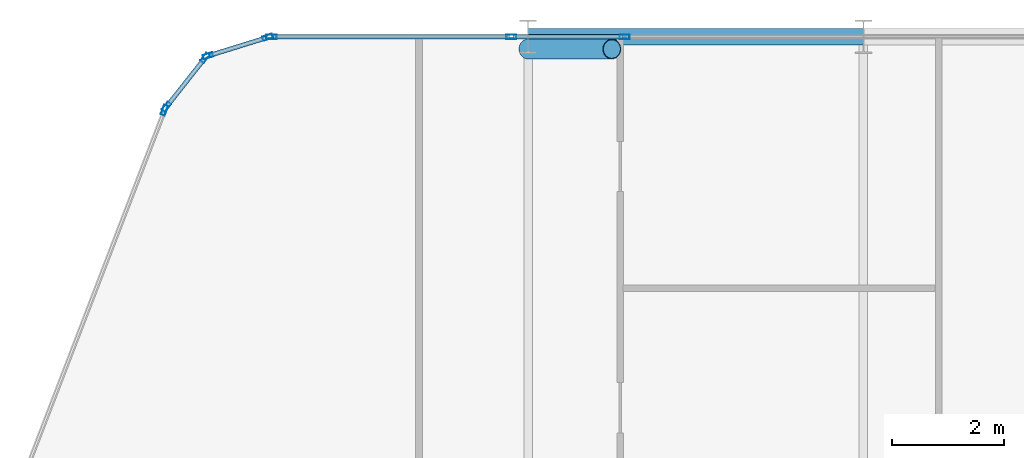
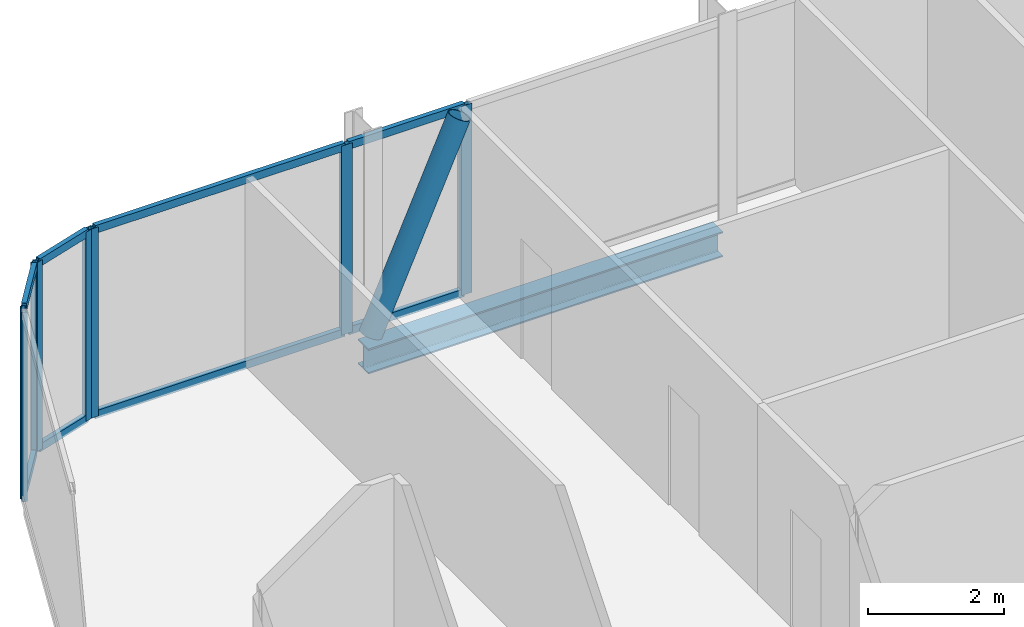
# One storey, part 16 of 30: 17 members, 1 beam, 5 elements without a shape of their own.
"""IFC4 building model written with IfcOpenShell, lengths in metres."""

import ifcopenshell
import ifcopenshell.guid

model = None  # the IFC model being written
_history = None  # IfcOwnerHistory: only IFC2X3 demands one
_inside = {}  # id of a spatial element -> (the spatial element, [elements in it])
_under = {}  # id of a project, library or spatial element -> (it, [spatial elements below it])
_declared = {}  # id of a project -> (the project, [libraries it declares])
_typed = {}  # id of a type object -> (the type object, [elements of that type])
_made_of = {}  # id of a material, layer set ... -> (it, [elements and type objects made of it])


def new_model(schema):
    """Start an empty IFC model of exactly this schema.

    Asked for "IFC4X3", IfcOpenShell would pick the latest addendum, in which some entities
    have other attributes; the version numbers below select the first issue.
    IFC2X3 requires an IfcOwnerHistory on every rooted entity: one is made here for all.
    """
    global model, _history
    if schema == "IFC4X3":
        model = ifcopenshell.file(schema_version=(4, 3, 0, 0))
    else:
        model = ifcopenshell.file(schema=schema)
    _inside.clear()
    _under.clear()
    _declared.clear()
    _typed.clear()
    _made_of.clear()
    _history = None
    if model.schema == "IFC2X3":
        org = make("IfcOrganization", Name="unknown")
        user = make(
            "IfcPersonAndOrganization",
            ThePerson=make("IfcPerson", FamilyName="unknown"),
            TheOrganization=org,
        )
        app = make(
            "IfcApplication",
            ApplicationDeveloper=org,
            Version="unknown",
            ApplicationFullName="unknown",
            ApplicationIdentifier="unknown",
        )
        _history = make(
            "IfcOwnerHistory",
            OwningUser=user,
            OwningApplication=app,
            ChangeAction="ADDED",
            CreationDate=0,
        )
    return model


def make(cls, **values):
    """One entity of the class cls with the attributes given. An attribute that is None is left unset."""
    return model.create_entity(
        cls, **{name: value for name, value in values.items() if value is not None}
    )


def rooted(cls, **values):
    """An entity with a GlobalId (a new one), such as an element, a storey or a relation."""
    return make(cls, GlobalId=ifcopenshell.guid.new(), OwnerHistory=_history, **values)


def si_unit(unit_type, name, prefix=None):
    """IfcSIUnit, for example si_unit("LENGTHUNIT", "METRE", prefix="MILLI")."""
    return make("IfcSIUnit", UnitType=unit_type, Prefix=prefix, Name=name)


def assignment(units):
    """IfcUnitAssignment: the units of a project."""
    return None if units is None else make("IfcUnitAssignment", Units=units)


def point(xyz):
    """IfcCartesianPoint."""
    return None if xyz is None else make("IfcCartesianPoint", Coordinates=xyz)


def direction(xyz):
    """IfcDirection."""
    return None if xyz is None else make("IfcDirection", DirectionRatios=xyz)


def frame(location, z_axis=None, x_axis=None):
    """IfcAxis2Placement3D, a coordinate frame: its origin and axes. An axis left out is left unset."""
    return make(
        "IfcAxis2Placement3D",
        Location=point(location),
        Axis=direction(z_axis),
        RefDirection=direction(x_axis),
    )


def frame_2d(location, x_axis=None):
    """IfcAxis2Placement2D, a coordinate frame in the plane: its origin and x axis."""
    return make(
        "IfcAxis2Placement2D", Location=point(location), RefDirection=direction(x_axis)
    )


def origin():
    """The frame at (0, 0, 0) with its axes left unset."""
    return frame((0.0, 0.0, 0.0))


def origin_2d():
    """The frame at (0, 0) in the plane with its x axis left unset."""
    return frame_2d((0.0, 0.0))


def place(relative_to, where):
    """IfcLocalPlacement: puts the frame where relative to a parent placement (None: the world)."""
    return make(
        "IfcLocalPlacement", PlacementRelTo=relative_to, RelativePlacement=where
    )


def context(
    kind, dimensions, precision=None, world=None, true_north=None, identifier=None
):
    """IfcGeometricRepresentationContext, for example the 3D "Model" context."""
    return make(
        "IfcGeometricRepresentationContext",
        ContextIdentifier=identifier,
        ContextType=kind,
        CoordinateSpaceDimension=dimensions,
        Precision=precision,
        WorldCoordinateSystem=world,
        TrueNorth=true_north,
    )


def subcontext(parent, identifier, kind, view, scale=None):
    """IfcGeometricRepresentationSubContext, for example "Body" below "Model"."""
    return make(
        "IfcGeometricRepresentationSubContext",
        ContextIdentifier=identifier,
        ContextType=kind,
        ParentContext=parent,
        TargetScale=scale,
        TargetView=view,
    )


def project(units=None, contexts=None):
    """IfcProject with its units and contexts."""
    return rooted(
        "IfcProject",
        Name="project",
        RepresentationContexts=contexts,
        UnitsInContext=assignment(units),
    )


def spatial(cls, under=None, at=None, **own):
    """A site, building, storey or space (cls), placed at a placement, below another one or the project."""
    s = rooted(cls, ObjectPlacement=at, **own)
    if under is not None:
        _under.setdefault(under.id(), (under, []))[1].append(s)
    return s


def profile(cls, at=None, kind="AREA", **sizes):
    """A parametric profile (cls). Its sizes go by their IFC names, for example OverallWidth=200.0."""
    return make(cls, ProfileType=kind, Position=at, **sizes)


def hollow_rectangle(**sizes):
    """IfcRectangleHollowProfileDef."""
    return profile("IfcRectangleHollowProfileDef", **sizes)


def hollow_circle(**sizes):
    """IfcCircleHollowProfileDef."""
    return profile("IfcCircleHollowProfileDef", **sizes)


def i_section(**sizes):
    """IfcIShapeProfileDef."""
    return profile("IfcIShapeProfileDef", **sizes)


def extrude(swept, where, along, depth):
    """IfcExtrudedAreaSolid: the profile swept, set in the frame where, extruded along a direction by depth."""
    return make(
        "IfcExtrudedAreaSolid",
        SweptArea=swept,
        Position=where,
        ExtrudedDirection=direction(along),
        Depth=depth,
    )


def shape(context_of_items, identifier, shape_type, items):
    """IfcShapeRepresentation: the items that make up one representation, for example the "Body"."""
    return make(
        "IfcShapeRepresentation",
        ContextOfItems=context_of_items,
        RepresentationIdentifier=identifier,
        RepresentationType=shape_type,
        Items=items,
    )


def material(Name=None, Category=None):
    """IfcMaterial."""
    return make("IfcMaterial", Name=Name, Category=Category)


def layer(
    of_material, thickness, ventilated=None, Name=None, Category=None, Priority=None
):
    """IfcMaterialLayer: one layer of a wall or slab, of a material (None: an air gap)."""
    return make(
        "IfcMaterialLayer",
        Material=of_material,
        LayerThickness=thickness,
        IsVentilated=ventilated,
        Name=Name,
        Category=Category,
        Priority=Priority,
    )


def layer_set(layers, Name=None):
    """IfcMaterialLayerSet."""
    return make("IfcMaterialLayerSet", MaterialLayers=layers, LayerSetName=Name)


def material_profile(
    of_material, cross_section, Name=None, Category=None, Priority=None
):
    """IfcMaterialProfile: a cross section and its material."""
    return make(
        "IfcMaterialProfile",
        Name=Name,
        Material=of_material,
        Profile=cross_section,
        Priority=Priority,
        Category=Category,
    )


def profile_set(profiles, Name=None, composite=None):
    """IfcMaterialProfileSet."""
    return make(
        "IfcMaterialProfileSet",
        Name=Name,
        MaterialProfiles=profiles,
        CompositeProfile=composite,
    )


def made_of(thing, what):
    """Note that an element or type object is made of a material, layer set ...; save() writes the relation."""
    if what is not None:
        _made_of.setdefault(what.id(), (what, []))[1].append(thing)
    return thing


def type_object(cls, material=None, **own):
    """A type object (cls), such as IfcWallType, which elements share."""
    return made_of(rooted(cls, **own), material)


def element(
    cls,
    number,
    at=None,
    inside=None,
    cuts=None,
    type_object=None,
    material=None,
    context=None,
    identifier="Body",
    shape_type=None,
    held_by="IfcProductDefinitionShape",
    body=None,
    shapes=None,
    **own,
):
    """One element of the class cls, such as IfcWall. Its Tag is "e" and its number.

    at: its placement. inside: the storey or other place that contains it. cuts: it is an
    opening in that element (IfcRelVoidsElement). A single representation is given by context,
    identifier, shape_type and body (its items); several are given by shapes. held_by: the class
    of the entity that holds the representations. save() writes the other relations.
    """
    e = rooted(cls, Tag="e%d" % number, ObjectPlacement=at, **own)
    if body is not None:
        shapes = [shape(context, identifier, shape_type, body)]
    if shapes is not None:
        e.Representation = make(held_by, Representations=shapes)
    if inside is not None:
        _inside.setdefault(inside.id(), (inside, []))[1].append(e)
    if cuts is not None:
        rooted(
            "IfcRelVoidsElement", RelatingBuildingElement=cuts, RelatedOpeningElement=e
        )
    if type_object is not None:
        _typed.setdefault(type_object.id(), (type_object, []))[1].append(e)
    return made_of(e, material)


def aggregate(whole, parts):
    """IfcRelAggregates: a whole, such as a stair, and the parts it consists of."""
    return rooted("IfcRelAggregates", RelatingObject=whole, RelatedObjects=parts)


def save(model, path):
    """Write the relations noted so far, then the file.

    IfcRelAggregates (storeys below a building ...), IfcRelContainedInSpatialStructure (elements
    in a storey), IfcRelDefinesByType, IfcRelAssociatesMaterial and IfcRelDeclares: one each for
    every whole, place, type object, material and project.
    """
    for whole, parts in _under.values():
        aggregate(whole, parts)
    for where, things in _inside.values():
        rooted(
            "IfcRelContainedInSpatialStructure",
            RelatedElements=things,
            RelatingStructure=where,
        )
    for kind, things in _typed.values():
        rooted("IfcRelDefinesByType", RelatedObjects=things, RelatingType=kind)
    for what, things in _made_of.values():
        rooted("IfcRelAssociatesMaterial", RelatedObjects=things, RelatingMaterial=what)
    for by, libraries in _declared.values():
        rooted("IfcRelDeclares", RelatingContext=by, RelatedDefinitions=libraries)
    model.write(path)


model = new_model("IFC4")

# Units and contexts
model_context = context("Model", 3, precision=1e-05, world=origin(), true_north=direction((0.0, 1.0)))
body_context = subcontext(model_context, "Body", "Model", "MODEL_VIEW")
ifc_project = project(units=[si_unit("LENGTHUNIT", "METRE"), si_unit("AREAUNIT", "SQUARE_METRE"), si_unit("VOLUMEUNIT", "CUBIC_METRE"), si_unit("PLANEANGLEUNIT", "RADIAN"), si_unit("MASSUNIT", "GRAM", prefix="KILO")], contexts=[model_context])

# Site, building, storey
site_placement = place(None, origin())
site = spatial("IfcSite", under=ifc_project, at=site_placement, CompositionType="ELEMENT")
building_placement = place(site_placement, origin())
building = spatial("IfcBuilding", under=site, at=building_placement, Name="Keshet Zoharim Tower", CompositionType="ELEMENT")
storey_placement = place(building_placement, frame((0.0, 0.0, 90.89990234375)))
storey = spatial("IfcBuildingStorey", under=building, at=storey_placement, Name="L21", CompositionType="ELEMENT", Elevation=90.89990234375)

# Beam
ifc_material_1 = material(Name="Steel S355", Category="steel")
ifc_material_profile_1 = material_profile(ifc_material_1, i_section(OverallWidth=0.300048828125, OverallDepth=0.449951171875, WebThickness=0.013916015625, FlangeThickness=0.02587890625, FilletRadius=0.027099609375, at=origin_2d()), Name="HEB450")
ifc_profile_set_1 = profile_set([ifc_material_profile_1], Name="Steel S355")
beam_type = type_object("IfcBeamType", Name="BM-WEB-HB450", PredefinedType="BEAM", material=ifc_profile_set_1)
beam_placement = place(storey_placement, frame((21.0, 53.89990234375, -0.539794921875), z_axis=(1.0, 0.0, 0.0), x_axis=(0.0, 1.0, 0.0)))
element("IfcBeam", 1, at=beam_placement, inside=storey, type_object=beam_type, Name="L21 Primary Girder X-019", PredefinedType="BEAM", context=body_context, shape_type="SweptSolid", body=[
    extrude(i_section(OverallWidth=0.300048828125, OverallDepth=0.449951171875, WebThickness=0.013916015625, FlangeThickness=0.02587890625, FilletRadius=0.027099609375, at=origin_2d()), origin(), (0.0, 0.0, 1.0), 6.0),
])

# Curtain wall, member
ifc_material_2 = material(Name="Aluminium 6063-T6", Category="aluminium")
ifc_layer = layer(ifc_material_2, 0.159912109375)
ifc_layer_set = layer_set([ifc_layer], Name="Aluminium 6063-T6")
curtain_wall_type = type_object("IfcCurtainWallType", Name="CW-SYS-03", PredefinedType="NOTDEFINED", material=ifc_layer_set)
curtain_wall_1_placement = place(storey_placement, origin())
curtain_wall_1 = element("IfcCurtainWall", 2, at=curtain_wall_1_placement, inside=storey, type_object=curtain_wall_type, Name="L21 Unitised Curtain Wall 10", PredefinedType="NOTDEFINED")
ifc_material_profile_2 = material_profile(ifc_material_2, hollow_rectangle(XDim=0.080078125, YDim=0.179931640625, WallThickness=0.00439453125, at=origin_2d()), Name="MUL-80x180")
ifc_profile_set_2 = profile_set([ifc_material_profile_2], Name="Aluminium 6063-T6")
member_type_1 = type_object("IfcMemberType", Name="CWM-M18", PredefinedType="MULLION", material=ifc_profile_set_2)
member_1_placement = place(storey_placement, frame((14.494384765625, 52.58544921875, 0.0), z_axis=(0.0, 0.0, 1.0), x_axis=(-0.933341404361, 0.358990003907, 0.0)))
member_1 = element("IfcMember", 3, at=member_1_placement, type_object=member_type_1, Name="CW-03 mullion 4", PredefinedType="MULLION", context=body_context, shape_type="SweptSolid", body=[
    extrude(hollow_rectangle(XDim=0.080078125, YDim=0.179931640625, WallThickness=0.00439453125, at=origin_2d()), origin(), (0.0, 0.0, 1.0), 3.385009765625),
])
aggregate(curtain_wall_1, [member_1])

# Curtain wall, members
curtain_wall_2_placement = place(storey_placement, origin())
curtain_wall_2 = element("IfcCurtainWall", 4, at=curtain_wall_2_placement, inside=storey, type_object=curtain_wall_type, Name="L21 Unitised Curtain Wall 11", PredefinedType="NOTDEFINED")
member_2_placement = place(storey_placement, frame((14.528564453125, 52.6455078125, 0.0), z_axis=(0.0, 0.0, 1.0), x_axis=(-0.785292825205, 0.619124525989, 0.0)))
member_2 = element("IfcMember", 5, at=member_2_placement, type_object=member_type_1, Name="CW-03 mullion 1", PredefinedType="MULLION", context=body_context, shape_type="SweptSolid", body=[
    extrude(hollow_rectangle(XDim=0.080078125, YDim=0.179931640625, WallThickness=0.00439453125, at=origin_2d()), origin(), (0.0, 0.0, 1.0), 3.385009765625),
])
member_3_placement = place(storey_placement, frame((15.21923828125, 53.521484375, 0.0), z_axis=(0.0, 0.0, 1.0), x_axis=(-0.785292825205, 0.619124525989, 0.0)))
member_3 = element("IfcMember", 6, at=member_3_placement, type_object=member_type_1, Name="CW-03 mullion 2", PredefinedType="MULLION", context=body_context, shape_type="SweptSolid", body=[
    extrude(hollow_rectangle(XDim=0.080078125, YDim=0.179931640625, WallThickness=0.00439453125, at=origin_2d()), origin(), (0.0, 0.0, 1.0), 3.385009765625),
])

curtain_wall_3_placement = place(storey_placement, origin())
curtain_wall_3 = element("IfcCurtainWall", 7, at=curtain_wall_3_placement, inside=storey, type_object=curtain_wall_type, Name="L21 Unitised Curtain Wall 12", PredefinedType="NOTDEFINED")
member_4_placement = place(storey_placement, frame((15.2744140625, 53.559326171875, 0.0), z_axis=(0.0, 0.0, 1.0), x_axis=(-0.295921857984, 0.955212151288, 0.0)))
member_4 = element("IfcMember", 8, at=member_4_placement, type_object=member_type_1, Name="CW-03 mullion 1", PredefinedType="MULLION", context=body_context, shape_type="SweptSolid", body=[
    extrude(hollow_rectangle(XDim=0.080078125, YDim=0.179931640625, WallThickness=0.00439453125, at=origin_2d()), origin(), (0.0, 0.0, 1.0), 3.385009765625),
])
member_5_placement = place(storey_placement, frame((16.340576171875, 53.8896484375, 0.0), z_axis=(0.0, 0.0, 1.0), x_axis=(-0.295921857984, 0.955212151288, 0.0)))
member_5 = element("IfcMember", 9, at=member_5_placement, type_object=member_type_1, Name="CW-03 mullion 2", PredefinedType="MULLION", context=body_context, shape_type="SweptSolid", body=[
    extrude(hollow_rectangle(XDim=0.080078125, YDim=0.179931640625, WallThickness=0.00439453125, at=origin_2d()), origin(), (0.0, 0.0, 1.0), 3.385009765625),
])

curtain_wall_4_placement = place(storey_placement, origin())
curtain_wall_4 = element("IfcCurtainWall", 10, at=curtain_wall_4_placement, inside=storey, type_object=curtain_wall_type, Name="L21 Unitised Curtain Wall 13", PredefinedType="NOTDEFINED")
member_6_placement = place(storey_placement, frame((16.408935546875, 53.89990234375, 0.0), z_axis=(0.0, 0.0, 1.0), x_axis=(0.0, 1.0, 0.0)))
member_6 = element("IfcMember", 11, at=member_6_placement, type_object=member_type_1, Name="CW-03 mullion 1", PredefinedType="MULLION", context=body_context, shape_type="SweptSolid", body=[
    extrude(hollow_rectangle(XDim=0.080078125, YDim=0.179931640625, WallThickness=0.00439453125, at=origin_2d()), origin(), (0.0, 0.0, 1.0), 3.385009765625),
])
member_7_placement = place(storey_placement, frame((20.702392578125, 53.89990234375, 0.0), z_axis=(0.0, 0.0, 1.0), x_axis=(0.0, 1.0, 0.0)))
member_7 = element("IfcMember", 12, at=member_7_placement, type_object=member_type_1, Name="CW-03 mullion 2", PredefinedType="MULLION", context=body_context, shape_type="SweptSolid", body=[
    extrude(hollow_rectangle(XDim=0.080078125, YDim=0.179931640625, WallThickness=0.00439453125, at=origin_2d()), origin(), (0.0, 0.0, 1.0), 3.385009765625),
])

# Curtain wall, member
curtain_wall_5_placement = place(storey_placement, origin())
curtain_wall_5 = element("IfcCurtainWall", 13, at=curtain_wall_5_placement, inside=storey, type_object=curtain_wall_type, Name="L21 Unitised Curtain Wall 13 Part 2", PredefinedType="NOTDEFINED")
member_8_placement = place(storey_placement, frame((22.7275390625, 53.89990234375, 0.0), z_axis=(0.0, 0.0, 1.0), x_axis=(0.0, 1.0, 0.0)))
member_8 = element("IfcMember", 14, at=member_8_placement, type_object=member_type_1, Name="CW-03 mullion 2", PredefinedType="MULLION", context=body_context, shape_type="SweptSolid", body=[
    extrude(hollow_rectangle(XDim=0.080078125, YDim=0.179931640625, WallThickness=0.00439453125, at=origin_2d()), origin(), (0.0, 0.0, 1.0), 3.385009765625),
])

# Member
ifc_material_profile_3 = material_profile(ifc_material_2, hollow_rectangle(XDim=0.080078125, YDim=0.139892578125, WallThickness=0.00390625, at=origin_2d()), Name="TRN-80x140")
ifc_profile_set_3 = profile_set([ifc_material_profile_3], Name="Aluminium 6063-T6")
member_type_2 = type_object("IfcMemberType", Name="CWT-T14", PredefinedType="USERDEFINED", material=ifc_profile_set_3)
member_9_placement = place(storey_placement, frame((14.55029296875, 52.6728515625, 0.03515625), z_axis=(0.619099165969, 0.78531281837, 0.0), x_axis=(-0.78531281837, 0.619099165969, 0.0)))
member_9 = element("IfcMember", 15, at=member_9_placement, type_object=member_type_2, Name="CW-03 transom 1.1", ObjectType="TRANSOM", PredefinedType="USERDEFINED", context=body_context, shape_type="SweptSolid", body=[
    extrude(hollow_rectangle(XDim=0.080078125, YDim=0.139892578125, WallThickness=0.00390625, at=origin_2d()), origin(), (0.0, 0.0, 1.0), 1.0458984375),
])

member_10_placement = place(storey_placement, frame((14.55029296875, 52.6728515625, 3.35009765625), z_axis=(0.619099165969, 0.78531281837, 0.0), x_axis=(-0.78531281837, 0.619099165969, 0.0)))
member_10 = element("IfcMember", 16, at=member_10_placement, type_object=member_type_2, Name="CW-03 transom 1.2", ObjectType="TRANSOM", PredefinedType="USERDEFINED", context=body_context, shape_type="SweptSolid", body=[
    extrude(hollow_rectangle(XDim=0.080078125, YDim=0.139892578125, WallThickness=0.00390625, at=origin_2d()), origin(), (0.0, 0.0, 1.0), 1.0458984375),
])

aggregate(curtain_wall_2, [member_2, member_3, member_9, member_10])

member_11_placement = place(storey_placement, frame((15.307861328125, 53.56982421875, 0.03515625), z_axis=(0.955212093062, 0.295922045933, 0.0), x_axis=(-0.295922045933, 0.955212093062, 0.0)))
member_11 = element("IfcMember", 17, at=member_11_placement, type_object=member_type_2, Name="CW-03 transom 1.1", ObjectType="TRANSOM", PredefinedType="USERDEFINED", context=body_context, shape_type="SweptSolid", body=[
    extrude(hollow_rectangle(XDim=0.080078125, YDim=0.139892578125, WallThickness=0.00390625, at=origin_2d()), origin(), (0.0, 0.0, 1.0), 1.046142578125),
])

member_12_placement = place(storey_placement, frame((15.307861328125, 53.56982421875, 3.35009765625), z_axis=(0.955212093062, 0.295922045933, 0.0), x_axis=(-0.295922045933, 0.955212093062, 0.0)))
member_12 = element("IfcMember", 18, at=member_12_placement, type_object=member_type_2, Name="CW-03 transom 1.2", ObjectType="TRANSOM", PredefinedType="USERDEFINED", context=body_context, shape_type="SweptSolid", body=[
    extrude(hollow_rectangle(XDim=0.080078125, YDim=0.139892578125, WallThickness=0.00390625, at=origin_2d()), origin(), (0.0, 0.0, 1.0), 1.046142578125),
])

aggregate(curtain_wall_3, [member_4, member_5, member_11, member_12])

member_13_placement = place(storey_placement, frame((16.444091796875, 53.89990234375, 0.03515625), z_axis=(1.0, 0.0, 0.0), x_axis=(0.0, 1.0, 0.0)))
member_13 = element("IfcMember", 19, at=member_13_placement, type_object=member_type_2, Name="CW-03 transom 1.1", ObjectType="TRANSOM", PredefinedType="USERDEFINED", context=body_context, shape_type="SweptSolid", body=[
    extrude(hollow_rectangle(XDim=0.080078125, YDim=0.139892578125, WallThickness=0.00390625, at=origin_2d()), origin(), (0.0, 0.0, 1.0), 4.223388671875),
])

member_14_placement = place(storey_placement, frame((16.444091796875, 53.89990234375, 3.35009765625), z_axis=(1.0, 0.0, 0.0), x_axis=(0.0, 1.0, 0.0)))
member_14 = element("IfcMember", 20, at=member_14_placement, type_object=member_type_2, Name="CW-03 transom 1.2", ObjectType="TRANSOM", PredefinedType="USERDEFINED", context=body_context, shape_type="SweptSolid", body=[
    extrude(hollow_rectangle(XDim=0.080078125, YDim=0.139892578125, WallThickness=0.00390625, at=origin_2d()), origin(), (0.0, 0.0, 1.0), 4.223388671875),
])

aggregate(curtain_wall_4, [member_6, member_7, member_13, member_14])

member_15_placement = place(storey_placement, frame((20.7373046875, 53.89990234375, 0.03515625), z_axis=(1.0, 0.0, 0.0), x_axis=(0.0, 1.0, 0.0)))
member_15 = element("IfcMember", 21, at=member_15_placement, type_object=member_type_2, Name="CW-03 transom 1.1", ObjectType="TRANSOM", PredefinedType="USERDEFINED", context=body_context, shape_type="SweptSolid", body=[
    extrude(hollow_rectangle(XDim=0.080078125, YDim=0.139892578125, WallThickness=0.00390625, at=origin_2d()), origin(), (0.0, 0.0, 1.0), 1.955322265625),
])

member_16_placement = place(storey_placement, frame((20.7373046875, 53.89990234375, 3.35009765625), z_axis=(1.0, 0.0, 0.0), x_axis=(0.0, 1.0, 0.0)))
member_16 = element("IfcMember", 22, at=member_16_placement, type_object=member_type_2, Name="CW-03 transom 1.2", ObjectType="TRANSOM", PredefinedType="USERDEFINED", context=body_context, shape_type="SweptSolid", body=[
    extrude(hollow_rectangle(XDim=0.080078125, YDim=0.139892578125, WallThickness=0.00390625, at=origin_2d()), origin(), (0.0, 0.0, 1.0), 1.955322265625),
])

aggregate(curtain_wall_5, [member_8, member_15, member_16])

ifc_material_profile_4 = material_profile(ifc_material_1, hollow_circle(Radius=0.177734375, WallThickness=0.012451171875, at=origin_2d()), Name="CHS355x12.5")
ifc_profile_set_4 = profile_set([ifc_material_profile_4], Name="Steel S355")
member_type_3 = type_object("IfcMemberType", Name="MB-BR-C355", PredefinedType="BRACE", material=ifc_profile_set_4)
member_17_placement = place(storey_placement, frame((21.0, 53.679931640625, 0.0), z_axis=(0.405134846829, 0.0, 0.91425694194), x_axis=(0.0, 1.0, 0.0)))
element("IfcMember", 23, at=member_17_placement, inside=storey, type_object=member_type_3, Name="L21 Perimeter Tube Brace 02", PredefinedType="BRACE", context=body_context, shape_type="SweptSolid", body=[
    extrude(hollow_circle(Radius=0.177734375, WallThickness=0.012451171875, at=origin_2d()), origin(), (0.0, 0.0, 1.0), 3.702392578125),
])

save(model, "model.ifc")
